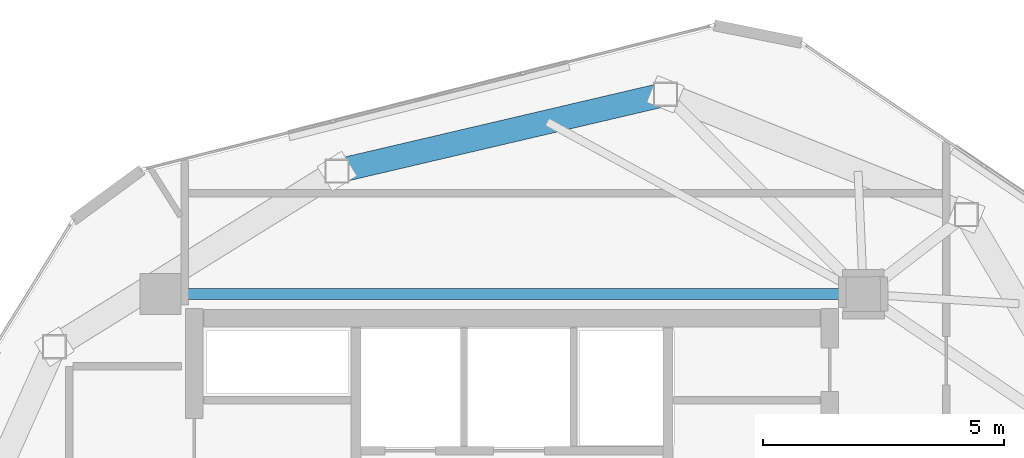
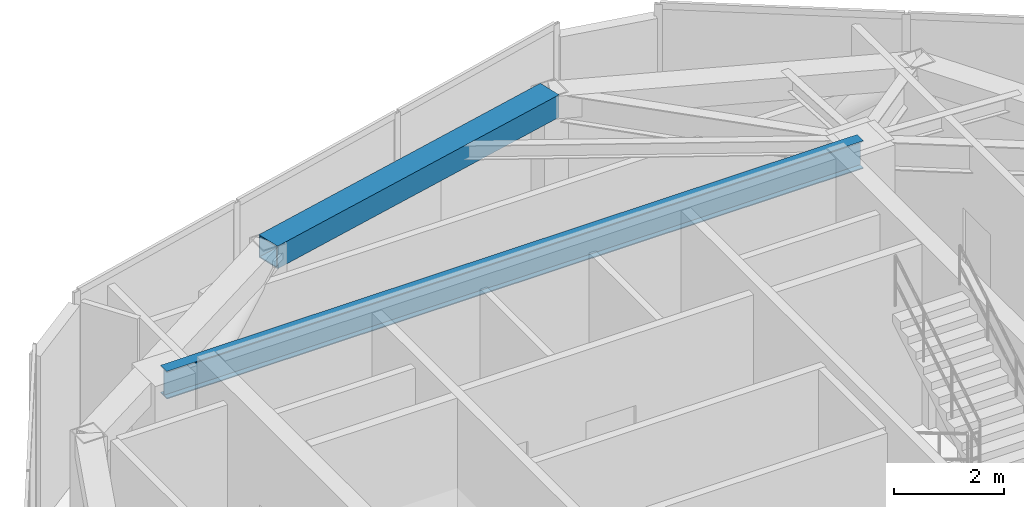
# One storey, part 11 of 21: 2 beams.
"""IFC4 building model written with IfcOpenShell, lengths in metres."""

from ifc_helpers import new_model, si_unit, direction, frame, origin, origin_2d, place, context, subcontext, project, spatial, hollow_rectangle, i_section, extrude, material, material_profile, profile_set, type_object, element, save


model = new_model("IFC4")

# Units and contexts
model_context = context("Model", 3, precision=1e-05, world=origin(), true_north=direction((0.0, 1.0)))
body_context = subcontext(model_context, "Body", "Model", "MODEL_VIEW")
ifc_project = project(units=[si_unit("LENGTHUNIT", "METRE"), si_unit("AREAUNIT", "SQUARE_METRE"), si_unit("VOLUMEUNIT", "CUBIC_METRE"), si_unit("PLANEANGLEUNIT", "RADIAN"), si_unit("MASSUNIT", "GRAM", prefix="KILO")], contexts=[model_context])

# Site, building, storey
site_placement = place(None, origin())
site = spatial("IfcSite", under=ifc_project, at=site_placement, CompositionType="ELEMENT")
building_placement = place(site_placement, origin())
building = spatial("IfcBuilding", under=site, at=building_placement, Name="Talar Marvaseh", CompositionType="ELEMENT")
storey_placement = place(building_placement, frame((0.0, 0.0, 300.0)))
storey = spatial("IfcBuildingStorey", under=building, at=storey_placement, Name="L80", CompositionType="ELEMENT", Elevation=300.0)

# Beams
ifc_material_1 = material(Name="Steel S460", Category="steel")
ifc_material_profile_1 = material_profile(ifc_material_1, hollow_rectangle(XDim=0.5, YDim=0.5, WallThickness=0.02490234375, at=origin_2d()), Name="BOX500x500x25")
ifc_profile_set_1 = profile_set([ifc_material_profile_1], Name="Steel S460")
beam_type_1 = type_object("IfcBeamType", Name="Crown Frame Top Ring Beam BOX500x500x25", PredefinedType="BEAM", material=ifc_profile_set_1)
beam_1_placement = place(storey_placement, frame((22.364990234375, 39.4541015625, 3.489990234375), z_axis=(0.973655602276, 0.228023613157, 0.0), x_axis=(-0.228023613157, 0.973655602276, 0.0)))
element("IfcBeam", 1, at=beam_1_placement, inside=storey, type_object=beam_type_1, Name="L80 Crown Frame Top Ring Beam BOX500x500x25", PredefinedType="BEAM", context=body_context, shape_type="SweptSolid", body=[
    extrude(hollow_rectangle(XDim=0.5, YDim=0.5, WallThickness=0.02490234375, at=origin_2d()), origin(), (0.0, 0.0, 1.0), 7.007568359375),
])
ifc_material_2 = material(Name="Steel S355", Category="steel")
ifc_material_profile_2 = material_profile(ifc_material_2, i_section(OverallWidth=0.22998046875, OverallDepth=0.616943359375, WebThickness=0.01318359375, FlangeThickness=0.022216796875, at=origin_2d()), Name="W610x140")
ifc_profile_set_2 = profile_set([ifc_material_profile_2], Name="Steel S355")
beam_type_2 = type_object("IfcBeamType", Name="Zone 4 Radial Floor Girder W610x140", PredefinedType="BEAM", material=ifc_profile_set_2)
beam_2_placement = place(storey_placement, frame((18.699951171875, 36.89990234375, 3.431396484375), z_axis=(1.0, 0.0, 0.0), x_axis=(0.0, 1.0, 0.0)))
element("IfcBeam", 2, at=beam_2_placement, inside=storey, type_object=beam_type_2, Name="L80 Zone 4 Radial Floor Girder W610x140", PredefinedType="BEAM", context=body_context, shape_type="SweptSolid", body=[
    extrude(i_section(OverallWidth=0.22998046875, OverallDepth=0.616943359375, WebThickness=0.01318359375, FlangeThickness=0.022216796875, at=origin_2d()), origin(), (0.0, 0.0, 1.0), 14.60009765625),
])

save(model, "model.ifc")
